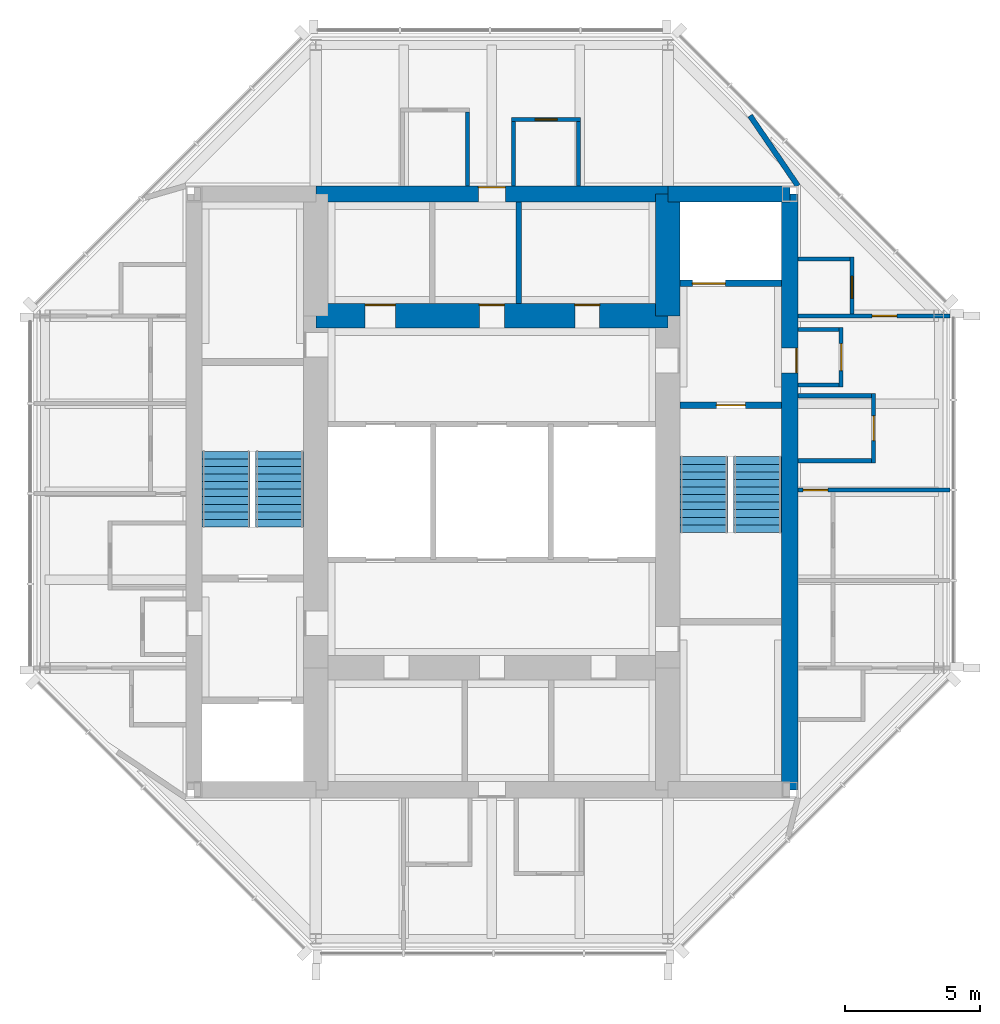
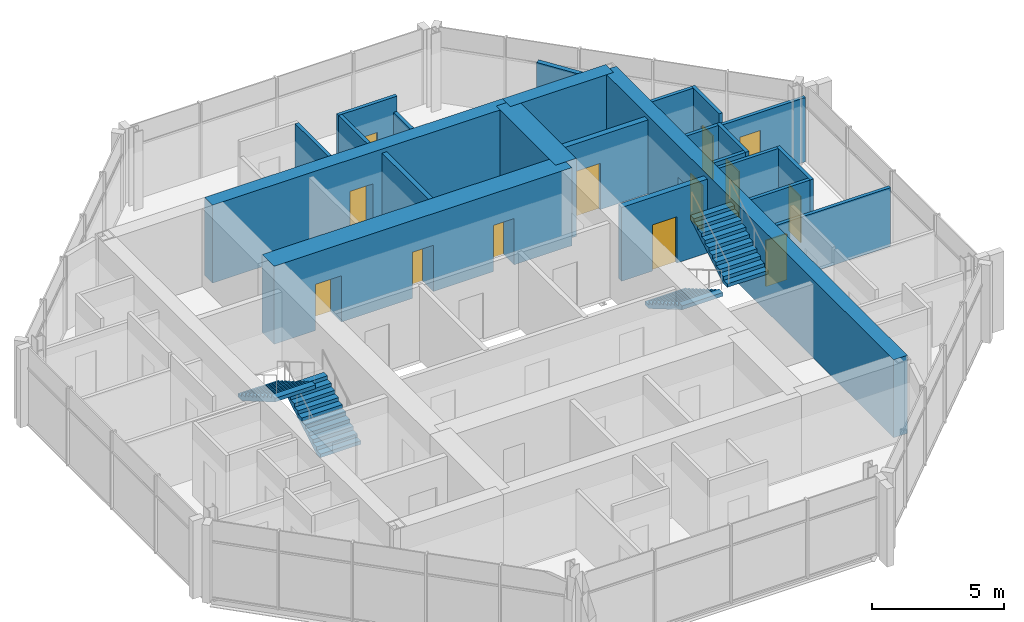
# One storey, part 7 of 9: 23 walls, 13 doors, 4 stair flights, 13 openings, 2 elements without a shape of their own.
"""IFC4 building model written with IfcOpenShell, lengths in metres."""

from ifc_helpers import new_model, si_unit, direction, frame, frame_2d, origin, place, context, subcontext, project, spatial, polyline, rectangle, outline, extrude, material, layer, layer_set, type_object, element, fill, aggregate, save


model = new_model("IFC4")

# Units and contexts
model_context = context("Model", 3, precision=1e-05, world=origin(), true_north=direction((0.0, 1.0)))
body_context = subcontext(model_context, "Body", "Model", "MODEL_VIEW")
ifc_project = project(units=[si_unit("LENGTHUNIT", "METRE"), si_unit("AREAUNIT", "SQUARE_METRE"), si_unit("VOLUMEUNIT", "CUBIC_METRE"), si_unit("PLANEANGLEUNIT", "RADIAN"), si_unit("MASSUNIT", "GRAM", prefix="KILO")], contexts=[model_context])

# Site, building, storey
site_placement = place(None, origin())
site = spatial("IfcSite", under=ifc_project, at=site_placement, CompositionType="ELEMENT")
building_placement = place(site_placement, origin())
building = spatial("IfcBuilding", under=site, at=building_placement, Name="Trevanion Tower", CompositionType="ELEMENT")
storey_placement = place(building_placement, frame((0.0, 0.0, 288.39990234375)))
storey = spatial("IfcBuildingStorey", under=building, at=storey_placement, Name="L71", CompositionType="ELEMENT", Elevation=288.39990234375)

# Wall, opening, door
ifc_material_1 = material(Name="Concrete 10,000 psi", Category="concrete")
ifc_layer_1 = layer(ifc_material_1, 0.60009765625)
ifc_layer_set_1 = layer_set([ifc_layer_1], Name="CW1 core wall 600")
wall_type_1 = type_object("IfcWallType", Name="CW1 core wall 600", PredefinedType="SHEAR", material=ifc_layer_set_1)
wall_1_placement = place(storey_placement, frame((11.0, -11.0, 0.0), z_axis=(0.0, 0.0, 1.0), x_axis=(0.0, 1.0, 0.0)))
wall_1 = element("IfcWall", 1, at=wall_1_placement, inside=storey, type_object=wall_type_1, Name="CW1 CE L71", PredefinedType="SHEAR", context=body_context, shape_type="SweptSolid", body=[
    extrude(rectangle(XDim=22.0, YDim=0.60009765625, at=frame_2d((11.0, 0.0))), origin(), (0.0, 0.0, 1.0), 3.60009765625),
])
opening_1_placement = place(wall_1_placement, frame((15.392578125, 0.0, 0.0)))
opening_1 = element("IfcOpeningElement", 2, at=opening_1_placement, cuts=wall_1, Name="Opening 71-001", PredefinedType="OPENING", context=body_context, shape_type="SweptSolid", body=[
    extrude(rectangle(XDim=0.9150390625, YDim=2.134033203125, at=frame_2d((0.45751953125, 1.06689453125))), frame((0.0, 0.31005859375, 0.0), z_axis=(0.0, -1.0, 0.0), x_axis=(1.0, 0.0, 0.0)), (0.0, 0.0, 1.0), 0.6201171875),
])
ifc_material_2 = material(Name="Hollow metal, fire rated", Category="steel")
door_type_1 = type_object("IfcDoorType", Name="D3 fire lift lobby door", OperationType="SINGLE_SWING_RIGHT", PredefinedType="DOOR", material=ifc_material_2)
door_1_placement = place(opening_1_placement, origin())
door_1 = element("IfcDoor", 3, at=door_1_placement, inside=storey, type_object=door_type_1, Name="Door 71-001", OperationType="SINGLE_SWING_RIGHT", OverallHeight=2.134033203125, OverallWidth=0.9150390625, PredefinedType="DOOR", context=body_context, shape_type="SweptSolid", body=[
    extrude(rectangle(XDim=0.9150390625, YDim=2.134033203125, at=frame_2d((0.45751953125, 1.06689453125))), frame((0.0, -0.22509765625, 0.0), z_axis=(0.0, -1.0, 0.0), x_axis=(1.0, 0.0, 0.0)), (0.0, 0.0, 1.0), 0.050048828125),
])
fill(opening_1, door_1)

# Wall
wall_2_placement = place(storey_placement, frame((11.0, 11.0, 0.0), z_axis=(0.0, 0.0, 1.0), x_axis=(-1.0, 0.0, 0.0)))
element("IfcWall", 4, at=wall_2_placement, inside=storey, type_object=wall_type_1, Name="CW1 CN1 L71", PredefinedType="SHEAR", context=body_context, shape_type="SweptSolid", body=[
    extrude(rectangle(XDim=4.5, YDim=0.60009765625, at=frame_2d((2.25, 0.0))), origin(), (0.0, 0.0, 1.0), 3.60009765625),
])

# Wall, opening, door
wall_3_placement = place(storey_placement, frame((6.5, 11.0, 0.0), z_axis=(0.0, 0.0, 1.0), x_axis=(-1.0, 0.0, 0.0)))
wall_3 = element("IfcWall", 5, at=wall_3_placement, inside=storey, type_object=wall_type_1, Name="CW1 CN2 L71", PredefinedType="SHEAR", context=body_context, shape_type="SweptSolid", body=[
    extrude(rectangle(XDim=13.0, YDim=0.60009765625, at=frame_2d((6.5, 0.0))), origin(), (0.0, 0.0, 1.0), 3.60009765625),
])
opening_2_placement = place(wall_3_placement, frame((6.0, 0.0, 0.0)))
opening_2 = element("IfcOpeningElement", 6, at=opening_2_placement, cuts=wall_3, Name="Opening 71-018", PredefinedType="OPENING", context=body_context, shape_type="SweptSolid", body=[
    extrude(rectangle(XDim=1.0, YDim=2.134033203125, at=frame_2d((0.5, 1.06689453125))), frame((0.0, 0.31005859375, 0.0), z_axis=(0.0, -1.0, 0.0), x_axis=(1.0, 0.0, 0.0)), (0.0, 0.0, 1.0), 0.6201171875),
])
ifc_material_3 = material(Name="Timber veneer on steel frame, fire rated", Category="steel")
door_type_2 = type_object("IfcDoorType", Name="D13 residence entrance door", OperationType="SINGLE_SWING_RIGHT", PredefinedType="DOOR", material=ifc_material_3)
door_2_placement = place(opening_2_placement, origin())
door_2 = element("IfcDoor", 7, at=door_2_placement, inside=storey, type_object=door_type_2, Name="Door 71-018", OperationType="SINGLE_SWING_RIGHT", OverallHeight=2.134033203125, OverallWidth=1.0, PredefinedType="DOOR", context=body_context, shape_type="SweptSolid", body=[
    extrude(rectangle(XDim=1.0, YDim=2.134033203125, at=frame_2d((0.5, 1.06689453125))), frame((0.0, -0.22509765625, 0.0), z_axis=(0.0, -1.0, 0.0), x_axis=(1.0, 0.0, 0.0)), (0.0, 0.0, 1.0), 0.050048828125),
])
fill(opening_2, door_2)

# Wall
ifc_material_4 = material(Name="Concrete 10,000 psi", Category="concrete")
ifc_layer_2 = layer(ifc_material_4, 0.89990234375)
ifc_layer_set_2 = layer_set([ifc_layer_2], Name="CW2 core wall 900")
wall_type_2 = type_object("IfcWallType", Name="CW2 core wall 900", PredefinedType="SHEAR", material=ifc_layer_set_2)
wall_4_placement = place(storey_placement, frame((6.5, 6.5, 0.0), z_axis=(0.0, 0.0, 1.0), x_axis=(0.0, 1.0, 0.0)))
element("IfcWall", 8, at=wall_4_placement, inside=storey, type_object=wall_type_2, Name="CW2 RE3 L71", PredefinedType="SHEAR", context=body_context, shape_type="SweptSolid", body=[
    extrude(rectangle(XDim=4.5, YDim=0.89990234375, at=frame_2d((2.25, 0.0))), origin(), (0.0, 0.0, 1.0), 3.60009765625),
])

# Wall, openings, doors
wall_5_placement = place(storey_placement, frame((6.5, 6.5, 0.0), z_axis=(0.0, 0.0, 1.0), x_axis=(-1.0, 0.0, 0.0)))
wall_5 = element("IfcWall", 9, at=wall_5_placement, inside=storey, type_object=wall_type_2, Name="CW2 RN L71", PredefinedType="SHEAR", context=body_context, shape_type="SweptSolid", body=[
    extrude(rectangle(XDim=13.0, YDim=0.89990234375, at=frame_2d((6.5, 0.0))), origin(), (0.0, 0.0, 1.0), 3.60009765625),
])
opening_3_placement = place(wall_5_placement, frame((6.04248046875, 0.0, 0.0)))
opening_3 = element("IfcOpeningElement", 10, at=opening_3_placement, cuts=wall_5, Name="Opening 71-017", PredefinedType="OPENING", context=body_context, shape_type="SweptSolid", body=[
    extrude(rectangle(XDim=0.9150390625, YDim=2.134033203125, at=frame_2d((0.45751953125, 1.06689453125))), frame((0.0, 0.4599609375, 0.0), z_axis=(0.0, -1.0, 0.0), x_axis=(1.0, 0.0, 0.0)), (0.0, 0.0, 1.0), 0.919921875),
])
opening_4_placement = place(wall_5_placement, frame((10.06591796875, 0.0, 0.0)))
opening_4 = element("IfcOpeningElement", 11, at=opening_4_placement, cuts=wall_5, Name="Opening 71-019", PredefinedType="OPENING", context=body_context, shape_type="SweptSolid", body=[
    extrude(rectangle(XDim=1.117919921875, YDim=2.134033203125, at=frame_2d((0.55908203125, 1.06689453125))), frame((0.0, 0.4599609375, 0.0), z_axis=(0.0, -1.0, 0.0), x_axis=(1.0, 0.0, 0.0)), (0.0, 0.0, 1.0), 0.919921875),
])
opening_5_placement = place(wall_5_placement, frame((2.517578125, 0.0, 0.0)))
opening_5 = element("IfcOpeningElement", 12, at=opening_5_placement, cuts=wall_5, Name="Opening 71-020", PredefinedType="OPENING", context=body_context, shape_type="SweptSolid", body=[
    extrude(rectangle(XDim=0.9150390625, YDim=2.134033203125, at=frame_2d((0.45751953125, 1.06689453125))), frame((0.0, 0.4599609375, 0.0), z_axis=(0.0, -1.0, 0.0), x_axis=(1.0, 0.0, 0.0)), (0.0, 0.0, 1.0), 0.919921875),
])
ifc_material_5 = material(Name="Hollow metal, fire rated", Category="steel")
door_type_3 = type_object("IfcDoorType", Name="D16 refuse room door", OperationType="SINGLE_SWING_RIGHT", PredefinedType="DOOR", material=ifc_material_5)
door_3_placement = place(opening_4_placement, origin())
door_3 = element("IfcDoor", 13, at=door_3_placement, inside=storey, type_object=door_type_3, Name="Door 71-019", OperationType="SINGLE_SWING_RIGHT", OverallHeight=2.134033203125, OverallWidth=1.117919921875, PredefinedType="DOOR", context=body_context, shape_type="SweptSolid", body=[
    extrude(rectangle(XDim=1.117919921875, YDim=2.134033203125, at=frame_2d((0.55908203125, 1.06689453125))), frame((0.0, -0.375, 0.0), z_axis=(0.0, -1.0, 0.0), x_axis=(1.0, 0.0, 0.0)), (0.0, 0.0, 1.0), 0.050048828125),
])
fill(opening_4, door_3)
door_4_placement = place(opening_3_placement, origin())
door_4 = element("IfcDoor", 14, at=door_4_placement, inside=storey, type_object=door_type_1, Name="Door 71-017", OperationType="SINGLE_SWING_RIGHT", OverallHeight=2.134033203125, OverallWidth=0.9150390625, PredefinedType="DOOR", context=body_context, shape_type="SweptSolid", body=[
    extrude(rectangle(XDim=0.9150390625, YDim=2.134033203125, at=frame_2d((0.45751953125, 1.06689453125))), frame((0.0, -0.375, 0.0), z_axis=(0.0, -1.0, 0.0), x_axis=(1.0, 0.0, 0.0)), (0.0, 0.0, 1.0), 0.050048828125),
])
fill(opening_3, door_4)
ifc_material_6 = material(Name="Hollow metal, fire rated", Category="steel")
door_type_4 = type_object("IfcDoorType", Name="D5 service room door", OperationType="SINGLE_SWING_RIGHT", PredefinedType="DOOR", material=ifc_material_6)
door_5_placement = place(opening_5_placement, origin())
door_5 = element("IfcDoor", 15, at=door_5_placement, inside=storey, type_object=door_type_4, Name="Door 71-020", OperationType="SINGLE_SWING_RIGHT", OverallHeight=2.134033203125, OverallWidth=0.9150390625, PredefinedType="DOOR", context=body_context, shape_type="SweptSolid", body=[
    extrude(rectangle(XDim=0.9150390625, YDim=2.134033203125, at=frame_2d((0.45751953125, 1.06689453125))), frame((0.0, -0.375, 0.0), z_axis=(0.0, -1.0, 0.0), x_axis=(1.0, 0.0, 0.0)), (0.0, 0.0, 1.0), 0.050048828125),
])
fill(opening_5, door_5)

# Wall, opening, door
ifc_material_7 = material(Name="Gypsum board on steel studs", Category="steel")
ifc_layer_3 = layer(ifc_material_7, 0.14990234375)
ifc_layer_set_3 = layer_set([ifc_layer_3], Name="PT1 partition 150")
wall_type_3 = type_object("IfcWallType", Name="PT1 partition 150", PredefinedType="PARTITIONING", material=ifc_layer_set_3)
wall_6_placement = place(storey_placement, frame((11.300048828125, 0.06494140625, 0.0), z_axis=(0.0, 0.0, 1.0), x_axis=(1.0, 0.0, 0.0)))
wall_6 = element("IfcWall", 16, at=wall_6_placement, inside=storey, type_object=wall_type_3, Name="PT1 L71 REC2", PredefinedType="PARTITIONING", context=body_context, shape_type="SweptSolid", body=[
    extrude(rectangle(XDim=5.614990234375, YDim=0.14990234375, at=frame_2d((2.8076171875, 0.0))), origin(), (0.0, 0.0, 1.0), 2.708984375),
])
opening_6_placement = place(wall_6_placement, frame((0.1923828125, 0.0, 0.0)))
opening_6 = element("IfcOpeningElement", 17, at=opening_6_placement, cuts=wall_6, Name="Opening 71-030", PredefinedType="OPENING", context=body_context, shape_type="SweptSolid", body=[
    extrude(rectangle(XDim=0.9150390625, YDim=2.134033203125, at=frame_2d((0.45751953125, 1.06689453125))), frame((0.0, 0.0849609375, 0.0), z_axis=(0.0, -1.0, 0.0), x_axis=(1.0, 0.0, 0.0)), (0.0, 0.0, 1.0), 0.169921875),
])
ifc_material_8 = material(Name="Timber veneer, solid core", Category="wood")
door_type_5 = type_object("IfcDoorType", Name="D1 office and meeting room door", OperationType="SINGLE_SWING_LEFT", PredefinedType="DOOR", material=ifc_material_8)
door_6_placement = place(opening_6_placement, origin())
door_6 = element("IfcDoor", 18, at=door_6_placement, inside=storey, type_object=door_type_5, Name="Door 71-030", OperationType="SINGLE_SWING_LEFT", OverallHeight=2.134033203125, OverallWidth=0.9150390625, PredefinedType="DOOR", context=body_context, shape_type="SweptSolid", body=[
    extrude(rectangle(XDim=0.9150390625, YDim=2.134033203125, at=frame_2d((0.45751953125, 1.06689453125))), frame((0.0, 0.02490234375, 0.0), z_axis=(0.0, -1.0, 0.0), x_axis=(1.0, 0.0, 0.0)), (0.0, 0.0, 1.0), 0.050048828125),
])
fill(opening_6, door_6)

wall_7_placement = place(storey_placement, frame((11.300048828125, 6.5, 0.0), z_axis=(0.0, 0.0, 1.0), x_axis=(1.0, 0.0, 0.0)))
wall_7 = element("IfcWall", 19, at=wall_7_placement, inside=storey, type_object=wall_type_3, Name="PT1 L71 REC3", PredefinedType="PARTITIONING", context=body_context, shape_type="SweptSolid", body=[
    extrude(rectangle(XDim=5.614990234375, YDim=0.14990234375, at=frame_2d((2.8076171875, 0.0))), origin(), (0.0, 0.0, 1.0), 2.965576171875),
])
opening_7_placement = place(wall_7_placement, frame((2.742431640625, 0.0, 0.0)))
opening_7 = element("IfcOpeningElement", 20, at=opening_7_placement, cuts=wall_7, Name="Opening 71-033", PredefinedType="OPENING", context=body_context, shape_type="SweptSolid", body=[
    extrude(rectangle(XDim=0.9150390625, YDim=2.134033203125, at=frame_2d((0.45751953125, 1.06689453125))), frame((0.0, 0.0849609375, 0.0), z_axis=(0.0, -1.0, 0.0), x_axis=(1.0, 0.0, 0.0)), (0.0, 0.0, 1.0), 0.169921875),
])
door_7_placement = place(opening_7_placement, origin())
door_7 = element("IfcDoor", 21, at=door_7_placement, inside=storey, type_object=door_type_5, Name="Door 71-033", OperationType="SINGLE_SWING_LEFT", OverallHeight=2.134033203125, OverallWidth=0.9150390625, PredefinedType="DOOR", context=body_context, shape_type="SweptSolid", body=[
    extrude(rectangle(XDim=0.9150390625, YDim=2.134033203125, at=frame_2d((0.45751953125, 1.06689453125))), frame((0.0, 0.02490234375, 0.0), z_axis=(0.0, -1.0, 0.0), x_axis=(1.0, 0.0, 0.0)), (0.0, 0.0, 1.0), 0.050048828125),
])
fill(opening_7, door_7)

# Walls
for number, where, z_axis, x_axis, name in (
    (22, (11.300048828125, 3.949951171875, 0.0), (0.0, 0.0, 1.0), (1.0, 0.0, 0.0), "PT1 L71 REEA"),
    (23, (11.300048828125, 6.0, 0.0), (0.0, 0.0, 1.0), (1.0, 0.0, 0.0), "PT1 L71 REEB"),
):
    element("IfcWall", number, at=place(storey_placement, frame(where, z_axis=z_axis, x_axis=x_axis)), inside=storey, type_object=wall_type_3, Name=name, PredefinedType="PARTITIONING", context=body_context, shape_type="SweptSolid", body=[
        extrude(rectangle(XDim=1.52490234375, YDim=0.14990234375, at=frame_2d((0.762451171875, 0.0))), origin(), (0.0, 0.0, 1.0), 3.41015625),
    ])

# Wall, opening, door
wall_8_placement = place(storey_placement, frame((14.10009765625, 1.074951171875, 0.0), z_axis=(0.0, 0.0, 1.0), x_axis=(0.0, 1.0, 0.0)))
wall_8 = element("IfcWall", 24, at=wall_8_placement, inside=storey, type_object=wall_type_3, Name="PT1 L71 REKF", PredefinedType="PARTITIONING", context=body_context, shape_type="SweptSolid", body=[
    extrude(rectangle(XDim=2.550048828125, YDim=0.14990234375, at=frame_2d((1.27490234375, 0.0))), origin(), (0.0, 0.0, 1.0), 3.41015625),
])
opening_8_placement = place(wall_8_placement, frame((0.8173828125, 0.0, 0.0)))
opening_8 = element("IfcOpeningElement", 25, at=opening_8_placement, cuts=wall_8, Name="Opening 71-026", PredefinedType="OPENING", context=body_context, shape_type="SweptSolid", body=[
    extrude(rectangle(XDim=0.9150390625, YDim=2.134033203125, at=frame_2d((0.45751953125, 1.06689453125))), frame((0.0, 0.0849609375, 0.0), z_axis=(0.0, -1.0, 0.0), x_axis=(1.0, 0.0, 0.0)), (0.0, 0.0, 1.0), 0.169921875),
])
door_8_placement = place(opening_8_placement, origin())
door_8 = element("IfcDoor", 26, at=door_8_placement, inside=storey, type_object=door_type_5, Name="Door 71-026", OperationType="SINGLE_SWING_LEFT", OverallHeight=2.134033203125, OverallWidth=0.9150390625, PredefinedType="DOOR", context=body_context, shape_type="SweptSolid", body=[
    extrude(rectangle(XDim=0.9150390625, YDim=2.134033203125, at=frame_2d((0.45751953125, 1.06689453125))), frame((0.0, 0.02490234375, 0.0), z_axis=(0.0, -1.0, 0.0), x_axis=(1.0, 0.0, 0.0)), (0.0, 0.0, 1.0), 0.050048828125),
])
fill(opening_8, door_8)

# Walls
for number, where, z_axis, x_axis, name in (
    (27, (11.300048828125, 1.14990234375, 0.0), (0.0, 0.0, 1.0), (1.0, 0.0, 0.0), "PT1 L71 REKA"),
    (28, (11.300048828125, 3.550048828125, 0.0), (0.0, 0.0, 1.0), (1.0, 0.0, 0.0), "PT1 L71 REKB"),
):
    element("IfcWall", number, at=place(storey_placement, frame(where, z_axis=z_axis, x_axis=x_axis)), inside=storey, type_object=wall_type_3, Name=name, PredefinedType="PARTITIONING", context=body_context, shape_type="SweptSolid", body=[
        extrude(rectangle(XDim=2.724853515625, YDim=0.14990234375, at=frame_2d((1.3623046875, 0.0))), origin(), (0.0, 0.0, 1.0), 3.41015625),
    ])

# Wall, opening, door
wall_9_placement = place(storey_placement, frame((13.300048828125, 6.574951171875, 0.0), z_axis=(0.0, 0.0, 1.0), x_axis=(0.0, 1.0, 0.0)))
wall_9 = element("IfcWall", 29, at=wall_9_placement, inside=storey, type_object=wall_type_3, Name="PT1 L71 REWF", PredefinedType="PARTITIONING", context=body_context, shape_type="SweptSolid", body=[
    extrude(rectangle(XDim=2.10009765625, YDim=0.14990234375, at=frame_2d((1.050048828125, 0.0))), origin(), (0.0, 0.0, 1.0), 3.41015625),
])
opening_9_placement = place(wall_9_placement, frame((0.568603515625, 0.0, 0.0)))
opening_9 = element("IfcOpeningElement", 30, at=opening_9_placement, cuts=wall_9, Name="Opening 71-027", PredefinedType="OPENING", context=body_context, shape_type="SweptSolid", body=[
    extrude(rectangle(XDim=0.81298828125, YDim=2.031982421875, at=frame_2d((0.406494140625, 1.01611328125))), frame((0.0, 0.0849609375, 0.0), z_axis=(0.0, -1.0, 0.0), x_axis=(1.0, 0.0, 0.0)), (0.0, 0.0, 1.0), 0.169921875),
])
ifc_material_9 = material(Name="Timber veneer", Category="wood")
door_type_6 = type_object("IfcDoorType", Name="D14 residence bathroom door", OperationType="SINGLE_SWING_LEFT", PredefinedType="DOOR", material=ifc_material_9)
door_9_placement = place(opening_9_placement, origin())
door_9 = element("IfcDoor", 31, at=door_9_placement, inside=storey, type_object=door_type_6, Name="Door 71-027", OperationType="SINGLE_SWING_LEFT", OverallHeight=2.031982421875, OverallWidth=0.81298828125, PredefinedType="DOOR", context=body_context, shape_type="SweptSolid", body=[
    extrude(rectangle(XDim=0.81298828125, YDim=2.031982421875, at=frame_2d((0.406494140625, 1.01611328125))), frame((0.0, 0.02490234375, 0.0), z_axis=(0.0, -1.0, 0.0), x_axis=(1.0, 0.0, 0.0)), (0.0, 0.0, 1.0), 0.050048828125),
])
fill(opening_9, door_9)

# Walls
wall_10_placement = place(storey_placement, frame((11.300048828125, 8.60009765625, 0.0), z_axis=(0.0, 0.0, 1.0), x_axis=(1.0, 0.0, 0.0)))
element("IfcWall", 32, at=wall_10_placement, inside=storey, type_object=wall_type_3, Name="PT1 L71 REWB", PredefinedType="PARTITIONING", context=body_context, shape_type="SweptSolid", body=[
    extrude(rectangle(XDim=1.925048828125, YDim=0.14990234375, at=frame_2d((0.96240234375, 0.0))), origin(), (0.0, 0.0, 1.0), 3.41015625),
])
wall_11_placement = place(storey_placement, frame((-0.89990234375, 11.300048828125, 0.0), z_axis=(0.0, 0.0, 1.0), x_axis=(0.0, 1.0, 0.0)))
element("IfcWall", 33, at=wall_11_placement, inside=storey, type_object=wall_type_3, Name="PT1 L71 RNKA", PredefinedType="PARTITIONING", context=body_context, shape_type="SweptSolid", body=[
    extrude(rectangle(XDim=2.724853515625, YDim=0.14990234375, at=frame_2d((1.3623046875, 0.0))), origin(), (0.0, 0.0, 1.0), 3.41015625),
])

# Wall, opening, door
wall_12_placement = place(storey_placement, frame((3.27490234375, 13.75, 0.0), z_axis=(0.0, 0.0, 1.0), x_axis=(-1.0, 0.0, 0.0)))
wall_12 = element("IfcWall", 34, at=wall_12_placement, inside=storey, type_object=wall_type_3, Name="PT1 L71 RNTF", PredefinedType="PARTITIONING", context=body_context, shape_type="SweptSolid", body=[
    extrude(rectangle(XDim=2.5498046875, YDim=0.14990234375, at=frame_2d((1.27490234375, 0.0))), origin(), (0.0, 0.0, 1.0), 3.41015625),
])
opening_10_placement = place(wall_12_placement, frame((0.868408203125, 0.0, 0.0)))
opening_10 = element("IfcOpeningElement", 35, at=opening_10_placement, cuts=wall_12, Name="Opening 71-035", PredefinedType="OPENING", context=body_context, shape_type="SweptSolid", body=[
    extrude(rectangle(XDim=0.81298828125, YDim=2.031982421875, at=frame_2d((0.406494140625, 1.01611328125))), frame((0.0, 0.0849609375, 0.0), z_axis=(0.0, -1.0, 0.0), x_axis=(1.0, 0.0, 0.0)), (0.0, 0.0, 1.0), 0.169921875),
])
door_10_placement = place(opening_10_placement, origin())
door_10 = element("IfcDoor", 36, at=door_10_placement, inside=storey, type_object=door_type_6, Name="Door 71-035", OperationType="SINGLE_SWING_LEFT", OverallHeight=2.031982421875, OverallWidth=0.81298828125, PredefinedType="DOOR", context=body_context, shape_type="SweptSolid", body=[
    extrude(rectangle(XDim=0.81298828125, YDim=2.031982421875, at=frame_2d((0.406494140625, 1.01611328125))), frame((0.0, 0.02490234375, 0.0), z_axis=(0.0, -1.0, 0.0), x_axis=(1.0, 0.0, 0.0)), (0.0, 0.0, 1.0), 0.050048828125),
])
fill(opening_10, door_10)

# Walls
wall_13_placement = place(storey_placement, frame((3.199951171875, 11.300048828125, 0.0), z_axis=(0.0, 0.0, 1.0), x_axis=(0.0, 1.0, 0.0)))
element("IfcWall", 37, at=wall_13_placement, inside=storey, type_object=wall_type_3, Name="PT1 L71 RNTA", PredefinedType="PARTITIONING", context=body_context, shape_type="SweptSolid", body=[
    extrude(rectangle(XDim=2.375, YDim=0.14990234375, at=frame_2d((1.1875, 0.0))), origin(), (0.0, 0.0, 1.0), 2.708984375),
])
wall_14_placement = place(storey_placement, frame((0.800048828125, 11.300048828125, 0.0), z_axis=(0.0, 0.0, 1.0), x_axis=(0.0, 1.0, 0.0)))
element("IfcWall", 38, at=wall_14_placement, inside=storey, type_object=wall_type_3, Name="PT1 L71 RNTB", PredefinedType="PARTITIONING", context=body_context, shape_type="SweptSolid", body=[
    extrude(rectangle(XDim=2.375, YDim=0.14990234375, at=frame_2d((1.1875, 0.0))), origin(), (0.0, 0.0, 1.0), 3.41015625),
])

# Wall, opening, door
ifc_material_10 = material(Name="Gypsum board on steel studs", Category="steel")
ifc_layer_4 = layer(ifc_material_10, 0.14990234375)
ifc_layer_set_4 = layer_set([ifc_layer_4], Name="PT1 partition 150 1 HR")
wall_type_4 = type_object("IfcWallType", Name="PT1 partition 150 1 HR", PredefinedType="PARTITIONING", material=ifc_layer_set_4)
wall_15_placement = place(storey_placement, frame((12.89990234375, 3.875, 0.0), z_axis=(0.0, 0.0, 1.0), x_axis=(0.0, 1.0, 0.0)))
wall_15 = element("IfcWall", 39, at=wall_15_placement, inside=storey, type_object=wall_type_4, Name="PT1 L71 REEF", PredefinedType="PARTITIONING", context=body_context, shape_type="SweptSolid", body=[
    extrude(rectangle(XDim=2.199951171875, YDim=0.14990234375, at=frame_2d((1.10009765625, 0.0))), origin(), (0.0, 0.0, 1.0), 3.41015625),
])
opening_11_placement = place(wall_15_placement, frame((0.60009765625, 0.0, 0.0)))
opening_11 = element("IfcOpeningElement", 40, at=opening_11_placement, cuts=wall_15, Name="Opening 71-025", PredefinedType="OPENING", context=body_context, shape_type="SweptSolid", body=[
    extrude(rectangle(XDim=1.0, YDim=2.134033203125, at=frame_2d((0.5, 1.06689453125))), frame((0.0, 0.0849609375, 0.0), z_axis=(0.0, -1.0, 0.0), x_axis=(1.0, 0.0, 0.0)), (0.0, 0.0, 1.0), 0.169921875),
])
door_11_placement = place(opening_11_placement, origin())
door_11 = element("IfcDoor", 41, at=door_11_placement, inside=storey, type_object=door_type_2, Name="Door 71-025", OperationType="SINGLE_SWING_RIGHT", OverallHeight=2.134033203125, OverallWidth=1.0, PredefinedType="DOOR", context=body_context, shape_type="SweptSolid", body=[
    extrude(rectangle(XDim=1.0, YDim=2.134033203125, at=frame_2d((0.5, 1.06689453125))), frame((0.0, 0.02490234375, 0.0), z_axis=(0.0, -1.0, 0.0), x_axis=(1.0, 0.0, 0.0)), (0.0, 0.0, 1.0), 0.050048828125),
])
fill(opening_11, door_11)

# Walls
ifc_material_11 = material(Name="Concrete masonry, grouted", Category="masonry")
ifc_layer_5 = layer(ifc_material_11, 0.199951171875)
ifc_layer_set_5 = layer_set([ifc_layer_5], Name="PT2 partition 200 1 HR")
wall_type_5 = type_object("IfcWallType", Name="PT2 partition 200 1 HR", PredefinedType="PARTITIONING", material=ifc_layer_set_5)
wall_16_placement = place(storey_placement, frame((1.0, 6.949951171875, 0.0), z_axis=(0.0, 0.0, 1.0), x_axis=(0.0, 1.0, 0.0)))
element("IfcWall", 42, at=wall_16_placement, inside=storey, type_object=wall_type_5, Name="PT2 L71 CNP2", PredefinedType="PARTITIONING", context=body_context, shape_type="SweptSolid", body=[
    extrude(rectangle(XDim=3.75, YDim=0.199951171875, at=frame_2d((1.875, 0.0))), origin(), (0.0, 0.0, 1.0), 3.41015625),
])
wall_17_placement = place(storey_placement, frame((11.300048828125, 11.300048828125, 0.0), z_axis=(0.0, 0.0, 1.0), x_axis=(-0.563469639691, 0.826136771453, 0.0)))
element("IfcWall", 43, at=wall_17_placement, inside=storey, type_object=wall_type_5, Name="PT2 L71 UB0", PredefinedType="PARTITIONING", context=body_context, shape_type="SweptSolid", body=[
    extrude(rectangle(XDim=3.136962890625, YDim=0.199951171875, at=frame_2d((1.568359375, 0.0))), origin(), (0.0, 0.0, 1.0), 2.703857421875),
])

# Wall, opening, door
ifc_material_12 = material(Name="Concrete masonry, grouted, two-hour", Category="masonry")
ifc_layer_6 = layer(ifc_material_12, 0.25)
ifc_layer_set_6 = layer_set([ifc_layer_6], Name="PT3 partition 250 2 HR")
wall_type_6 = type_object("IfcWallType", Name="PT3 partition 250 2 HR", PredefinedType="PARTITIONING", material=ifc_layer_set_6)
wall_18_placement = place(storey_placement, frame((6.949951171875, 7.699951171875, 0.0), z_axis=(0.0, 0.0, 1.0), x_axis=(1.0, 0.0, 0.0)))
wall_18 = element("IfcWall", 44, at=wall_18_placement, inside=storey, type_object=wall_type_6, Name="PT3 L71 EP3", PredefinedType="PARTITIONING", context=body_context, shape_type="SweptSolid", body=[
    extrude(rectangle(XDim=3.75, YDim=0.25, at=frame_2d((1.875, 0.0))), origin(), (0.0, 0.0, 1.0), 3.41015625),
])
opening_12_placement = place(wall_18_placement, frame((0.449951171875, 0.0, 0.0)))
opening_12 = element("IfcOpeningElement", 45, at=opening_12_placement, cuts=wall_18, Name="Opening 71-007", PredefinedType="OPENING", context=body_context, shape_type="SweptSolid", body=[
    extrude(rectangle(XDim=1.218994140625, YDim=2.134033203125, at=frame_2d((0.609375, 1.06689453125))), frame((0.0, 0.135009765625, 0.0), z_axis=(0.0, -1.0, 0.0), x_axis=(1.0, 0.0, 0.0)), (0.0, 0.0, 1.0), 0.27001953125),
])
ifc_material_13 = material(Name="Stainless steel, fire rated", Category="steel")
door_type_7 = type_object("IfcDoorType", Name="LD2 fire service lift landing door", OperationType="SLIDING_TO_LEFT", PredefinedType="DOOR", material=ifc_material_13)
door_12_placement = place(opening_12_placement, origin())
door_12 = element("IfcDoor", 46, at=door_12_placement, inside=storey, type_object=door_type_7, Name="Door 71-007", OperationType="SLIDING_TO_LEFT", OverallHeight=2.134033203125, OverallWidth=1.218994140625, PredefinedType="DOOR", context=body_context, shape_type="SweptSolid", body=[
    extrude(rectangle(XDim=1.218994140625, YDim=2.134033203125, at=frame_2d((0.609375, 1.06689453125))), frame((0.0, 0.02490234375, 0.0), z_axis=(0.0, -1.0, 0.0), x_axis=(1.0, 0.0, 0.0)), (0.0, 0.0, 1.0), 0.050048828125),
])
fill(opening_12, door_12)

ifc_material_14 = material(Name="Reinforced masonry, fully grouted", Category="masonry")
ifc_layer_7 = layer(ifc_material_14, 0.25)
ifc_layer_set_7 = layer_set([ifc_layer_7], Name="SW1 stair shaft wall 250")
wall_type_7 = type_object("IfcWallType", Name="SW1 stair shaft wall 250", PredefinedType="SOLIDWALL", material=ifc_layer_set_7)
wall_19_placement = place(storey_placement, frame((6.949951171875, 3.199951171875, 0.0), z_axis=(0.0, 0.0, 1.0), x_axis=(1.0, 0.0, 0.0)))
wall_19 = element("IfcWall", 47, at=wall_19_placement, inside=storey, type_object=wall_type_7, Name="SW1 L71 EP2", PredefinedType="SOLIDWALL", context=body_context, shape_type="SweptSolid", body=[
    extrude(rectangle(XDim=3.75, YDim=0.25, at=frame_2d((1.875, 0.0))), origin(), (0.0, 0.0, 1.0), 3.41015625),
])
opening_13_placement = place(wall_19_placement, frame((1.341552734375, 0.0, 0.0)))
opening_13 = element("IfcOpeningElement", 48, at=opening_13_placement, cuts=wall_19, Name="Opening 71-005", PredefinedType="OPENING", context=body_context, shape_type="SweptSolid", body=[
    extrude(rectangle(XDim=1.06689453125, YDim=2.134033203125, at=frame_2d((0.533447265625, 1.06689453125))), frame((0.0, 0.135009765625, 0.0), z_axis=(0.0, -1.0, 0.0), x_axis=(1.0, 0.0, 0.0)), (0.0, 0.0, 1.0), 0.27001953125),
])
ifc_material_15 = material(Name="Hollow metal, fire rated", Category="steel")
door_type_8 = type_object("IfcDoorType", Name="D2 exit stair door", OperationType="SINGLE_SWING_LEFT", PredefinedType="DOOR", material=ifc_material_15)
door_13_placement = place(opening_13_placement, origin())
door_13 = element("IfcDoor", 49, at=door_13_placement, inside=storey, type_object=door_type_8, Name="Door 71-005", OperationType="SINGLE_SWING_LEFT", OverallHeight=2.134033203125, OverallWidth=1.06689453125, PredefinedType="DOOR", context=body_context, shape_type="SweptSolid", body=[
    extrude(rectangle(XDim=1.06689453125, YDim=2.134033203125, at=frame_2d((0.533447265625, 1.06689453125))), frame((0.0, 0.02490234375, 0.0), z_axis=(0.0, -1.0, 0.0), x_axis=(1.0, 0.0, 0.0)), (0.0, 0.0, 1.0), 0.050048828125),
])
fill(opening_13, door_13)

# Stair, stair flights
ifc_material_16 = material(Name="Concrete 5,000 psi on steel stringers", Category="concrete")
stair_type = type_object("IfcStairType", Name="ST stair", PredefinedType="HALF_TURN_STAIR", material=ifc_material_16)
stair_1_placement = place(storey_placement, origin())
stair_1 = element("IfcStair", 50, at=stair_1_placement, inside=storey, type_object=stair_type, Name="ST1 L71", PredefinedType="HALF_TURN_STAIR")
ifc_material_17 = material(Name="Concrete 5,000 psi in steel pan", Category="concrete")
stair_flight_type = type_object("IfcStairFlightType", Name="STF stair flight", PredefinedType="STRAIGHT", material=ifc_material_17)
stair_flight_1_placement = place(storey_placement, frame((7.83740234375, 1.300048828125, 0.0), z_axis=(0.0, 0.0, 1.0), x_axis=(0.0, -1.0, 0.0)))
stair_flight_1 = element("IfcStairFlight", 51, at=stair_flight_1_placement, type_object=stair_flight_type, Name="ST1 flight 1", NumberOfRisers=11, NumberOfTreads=10, PredefinedType="STRAIGHT", RiserHeight=0.163636364, TreadLength=0.28, context=body_context, shape_type="SweptSolid", body=[
    extrude(outline(polyline([(0.0, 0.0), (0.0, 0.16357421875), (0.280029296875, 0.16357421875), (0.280029296875, 0.327392578125), (0.56005859375, 0.327392578125), (0.56005859375, 0.490966796875), (0.840087890625, 0.490966796875), (0.840087890625, 0.654541015625), (1.1201171875, 0.654541015625), (1.1201171875, 0.818115234375), (1.39990234375, 0.818115234375), (1.39990234375, 0.98193359375), (1.679931640625, 0.98193359375), (1.679931640625, 1.1455078125), (1.9599609375, 1.1455078125), (1.9599609375, 1.30908203125), (2.239990234375, 1.30908203125), (2.239990234375, 1.47265625), (2.52001953125, 1.47265625), (2.52001953125, 1.636474609375), (2.800048828125, 1.636474609375), (2.800048828125, 1.800048828125), (2.800048828125, 1.462646484375), (0.297119140625, 0.0), (0.0, 0.0)])), frame((0.0, 0.887451171875, 0.0), z_axis=(0.0, -1.0, 0.0), x_axis=(1.0, 0.0, 0.0)), (0.0, 0.0, 1.0), 1.77490234375),
])
stair_flight_2_placement = place(storey_placement, frame((9.8125, -1.5, 1.800048828125), z_axis=(0.0, 0.0, 1.0), x_axis=(0.0, 1.0, 0.0)))
stair_flight_2 = element("IfcStairFlight", 52, at=stair_flight_2_placement, type_object=stair_flight_type, Name="ST1 flight 2", NumberOfRisers=11, NumberOfTreads=10, PredefinedType="STRAIGHT", RiserHeight=0.163636364, TreadLength=0.28, context=body_context, shape_type="SweptSolid", body=[
    extrude(outline(polyline([(0.0, 0.0), (0.0, 0.16357421875), (0.280029296875, 0.16357421875), (0.280029296875, 0.327392578125), (0.56005859375, 0.327392578125), (0.56005859375, 0.490966796875), (0.840087890625, 0.490966796875), (0.840087890625, 0.654541015625), (1.1201171875, 0.654541015625), (1.1201171875, 0.818115234375), (1.39990234375, 0.818115234375), (1.39990234375, 0.98193359375), (1.679931640625, 0.98193359375), (1.679931640625, 1.1455078125), (1.9599609375, 1.1455078125), (1.9599609375, 1.30908203125), (2.239990234375, 1.30908203125), (2.239990234375, 1.47265625), (2.52001953125, 1.47265625), (2.52001953125, 1.636474609375), (2.800048828125, 1.636474609375), (2.800048828125, 1.800048828125), (2.800048828125, 1.462646484375), (0.297119140625, 0.0), (0.0, 0.0)])), frame((0.0, 0.887451171875, 0.0), z_axis=(0.0, -1.0, 0.0), x_axis=(1.0, 0.0, 0.0)), (0.0, 0.0, 1.0), 1.77490234375),
])
aggregate(stair_1, [stair_flight_1, stair_flight_2])

stair_2_placement = place(storey_placement, origin())
stair_2 = element("IfcStair", 53, at=stair_2_placement, inside=storey, type_object=stair_type, Name="ST2 L71", PredefinedType="HALF_TURN_STAIR")
stair_flight_3_placement = place(storey_placement, frame((-7.83740234375, -1.300048828125, 0.0), z_axis=(0.0, 0.0, 1.0), x_axis=(0.0, 1.0, 0.0)))
stair_flight_3 = element("IfcStairFlight", 54, at=stair_flight_3_placement, type_object=stair_flight_type, Name="ST2 flight 1", NumberOfRisers=11, NumberOfTreads=10, PredefinedType="STRAIGHT", RiserHeight=0.163636364, TreadLength=0.28, context=body_context, shape_type="SweptSolid", body=[
    extrude(outline(polyline([(0.0, 0.0), (0.0, 0.16357421875), (0.280029296875, 0.16357421875), (0.280029296875, 0.327392578125), (0.56005859375, 0.327392578125), (0.56005859375, 0.490966796875), (0.840087890625, 0.490966796875), (0.840087890625, 0.654541015625), (1.1201171875, 0.654541015625), (1.1201171875, 0.818115234375), (1.39990234375, 0.818115234375), (1.39990234375, 0.98193359375), (1.679931640625, 0.98193359375), (1.679931640625, 1.1455078125), (1.9599609375, 1.1455078125), (1.9599609375, 1.30908203125), (2.239990234375, 1.30908203125), (2.239990234375, 1.47265625), (2.52001953125, 1.47265625), (2.52001953125, 1.636474609375), (2.800048828125, 1.636474609375), (2.800048828125, 1.800048828125), (2.800048828125, 1.462646484375), (0.297119140625, 0.0), (0.0, 0.0)])), frame((0.0, 0.887451171875, 0.0), z_axis=(0.0, -1.0, 0.0), x_axis=(1.0, 0.0, 0.0)), (0.0, 0.0, 1.0), 1.77490234375),
])
stair_flight_4_placement = place(storey_placement, frame((-9.8125, 1.5, 1.800048828125), z_axis=(0.0, 0.0, 1.0), x_axis=(0.0, -1.0, 0.0)))
stair_flight_4 = element("IfcStairFlight", 55, at=stair_flight_4_placement, type_object=stair_flight_type, Name="ST2 flight 2", NumberOfRisers=11, NumberOfTreads=10, PredefinedType="STRAIGHT", RiserHeight=0.163636364, TreadLength=0.28, context=body_context, shape_type="SweptSolid", body=[
    extrude(outline(polyline([(0.0, 0.0), (0.0, 0.16357421875), (0.280029296875, 0.16357421875), (0.280029296875, 0.327392578125), (0.56005859375, 0.327392578125), (0.56005859375, 0.490966796875), (0.840087890625, 0.490966796875), (0.840087890625, 0.654541015625), (1.1201171875, 0.654541015625), (1.1201171875, 0.818115234375), (1.39990234375, 0.818115234375), (1.39990234375, 0.98193359375), (1.679931640625, 0.98193359375), (1.679931640625, 1.1455078125), (1.9599609375, 1.1455078125), (1.9599609375, 1.30908203125), (2.239990234375, 1.30908203125), (2.239990234375, 1.47265625), (2.52001953125, 1.47265625), (2.52001953125, 1.636474609375), (2.800048828125, 1.636474609375), (2.800048828125, 1.800048828125), (2.800048828125, 1.462646484375), (0.297119140625, 0.0), (0.0, 0.0)])), frame((0.0, 0.887451171875, 0.0), z_axis=(0.0, -1.0, 0.0), x_axis=(1.0, 0.0, 0.0)), (0.0, 0.0, 1.0), 1.77490234375),
])
aggregate(stair_2, [stair_flight_3, stair_flight_4])

save(model, "model.ifc")
